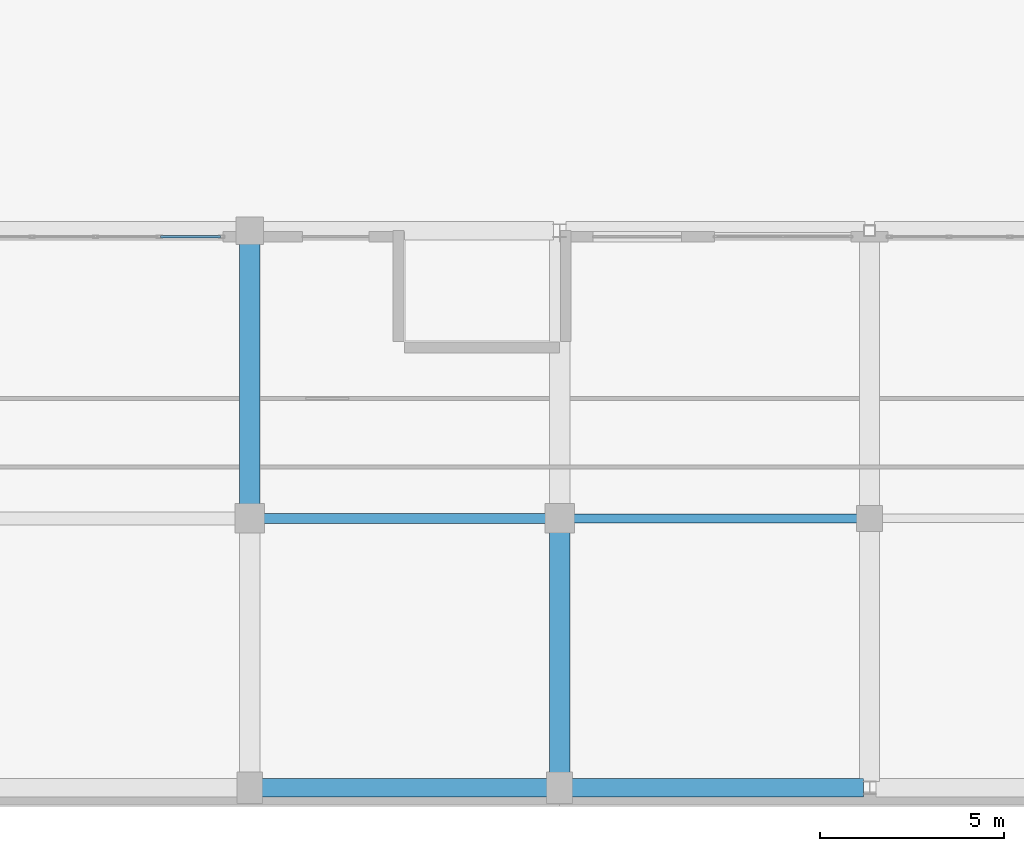
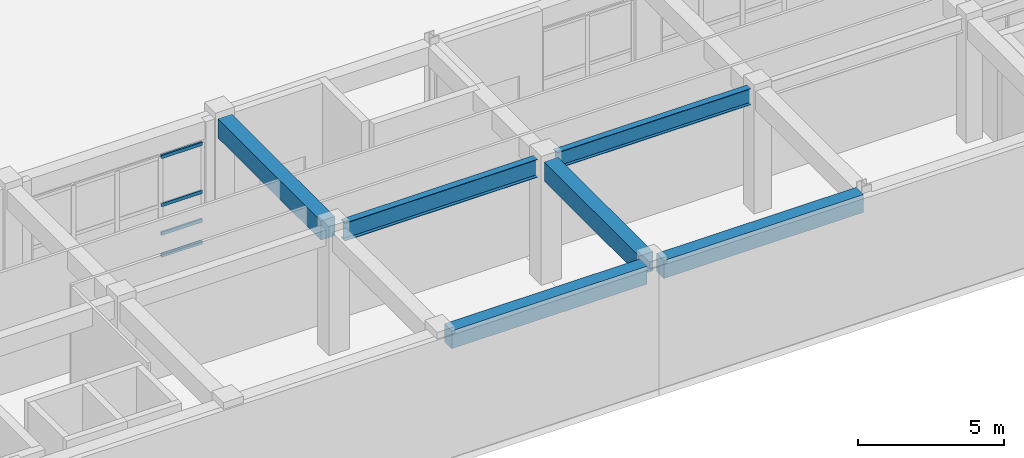
# One storey, part 24 of 148: 6 beams, 4 members, 1 element without a shape of its own.
"""IFC4 building model written with IfcOpenShell, lengths in metres."""

from ifc_helpers import new_model, si_unit, direction, frame, origin, origin_2d, place, context, subcontext, project, spatial, rectangle, hollow_rectangle, i_section, extrude, material, layer, layer_set, material_profile, profile_set, type_object, element, aggregate, save


model = new_model("IFC4")

# Units and contexts
model_context = context("Model", 3, precision=1e-05, world=origin(), true_north=direction((0.0, 1.0)))
body_context = subcontext(model_context, "Body", "Model", "MODEL_VIEW")
ifc_project = project(units=[si_unit("LENGTHUNIT", "METRE"), si_unit("AREAUNIT", "SQUARE_METRE"), si_unit("VOLUMEUNIT", "CUBIC_METRE"), si_unit("PLANEANGLEUNIT", "RADIAN"), si_unit("MASSUNIT", "GRAM", prefix="KILO")], contexts=[model_context])

# Site, building, storey
site_placement = place(None, origin())
site = spatial("IfcSite", under=ifc_project, at=site_placement, CompositionType="ELEMENT")
building_placement = place(site_placement, origin())
building = spatial("IfcBuilding", under=site, at=building_placement, Name="Quendrovan Civic Courthouse", CompositionType="ELEMENT")
storey_placement = place(building_placement, origin())
storey = spatial("IfcBuildingStorey", under=building, at=storey_placement, Name="L01", CompositionType="ELEMENT", Elevation=0.0)

# Beams
ifc_material_1 = material(Name="Concrete C40/50", Category="concrete")
ifc_material_profile_1 = material_profile(ifc_material_1, rectangle(XDim=0.5, YDim=0.75, at=origin_2d()), Name="RC-BM-500x750")
ifc_profile_set_1 = profile_set([ifc_material_profile_1], Name="Concrete C40/50")
beam_type_1 = type_object("IfcBeamType", Name="BM-RC750", PredefinedType="SPANDREL", material=ifc_profile_set_1)
beam_1_placement = place(storey_placement, frame((50.72998046875, 0.5, 4.7451171875), z_axis=(1.0, 0.0, 0.0), x_axis=(0.0, 1.0, 0.0)))
element("IfcBeam", 1, at=beam_1_placement, inside=storey, type_object=beam_type_1, Name="L01 Girder X0243", PredefinedType="SPANDREL", context=body_context, shape_type="SweptSolid", body=[
    extrude(rectangle(XDim=0.5, YDim=0.75, at=origin_2d()), origin(), (0.0, 0.0, 1.0), 7.739990234375),
])
beam_2_placement = place(storey_placement, frame((59.1298828125, 0.5, 4.7451171875), z_axis=(1.0, 0.0, 0.0), x_axis=(0.0, 1.0, 0.0)))
element("IfcBeam", 2, at=beam_2_placement, inside=storey, type_object=beam_type_1, Name="L01 Girder X0244", PredefinedType="SPANDREL", context=body_context, shape_type="SweptSolid", body=[
    extrude(rectangle(XDim=0.5, YDim=0.75, at=origin_2d()), origin(), (0.0, 0.0, 1.0), 7.903076171875),
])
ifc_material_profile_2 = material_profile(ifc_material_1, rectangle(XDim=0.550048828125, YDim=0.800048828125, at=origin_2d()), Name="RC-BM-550x800")
ifc_profile_set_2 = profile_set([ifc_material_profile_2], Name="Concrete C40/50")
beam_type_2 = type_object("IfcBeamType", Name="BM-RC800", PredefinedType="BEAM", material=ifc_profile_set_2)
beam_3_placement = place(storey_placement, frame((50.39990234375, 8.179931640625, 4.719970703125), z_axis=(0.0, 1.0, 0.0), x_axis=(-1.0, 0.0, 0.0)))
element("IfcBeam", 3, at=beam_3_placement, inside=storey, type_object=beam_type_2, Name="L01 Girder Y0416", PredefinedType="BEAM", context=body_context, shape_type="SweptSolid", body=[
    extrude(rectangle(XDim=0.550048828125, YDim=0.800048828125, at=origin_2d()), origin(), (0.0, 0.0, 1.0), 7.065185546875),
])
beam_4_placement = place(storey_placement, frame((58.800048828125, 0.905029296875, 4.719970703125), z_axis=(0.0, 1.0, 0.0), x_axis=(-1.0, 0.0, 0.0)))
element("IfcBeam", 4, at=beam_4_placement, inside=storey, type_object=beam_type_2, Name="L01 Girder Y0422", PredefinedType="BEAM", context=body_context, shape_type="SweptSolid", body=[
    extrude(rectangle(XDim=0.550048828125, YDim=0.800048828125, at=origin_2d()), origin(), (0.0, 0.0, 1.0), 6.514892578125),
])
ifc_material_2 = material(Name="Steel ASTM A992 Grade 50", Category="steel")
ifc_material_profile_3 = material_profile(ifc_material_2, i_section(OverallWidth=0.25390625, OverallDepth=0.68408203125, WebThickness=0.012451171875, FlangeThickness=0.018798828125, at=origin_2d()), Name="W27X94")
ifc_profile_set_3 = profile_set([ifc_material_profile_3], Name="Steel ASTM A992 Grade 50")
beam_type_3 = type_object("IfcBeamType", Name="BM-STL-W27", PredefinedType="BEAM", material=ifc_profile_set_3)
beam_5_placement = place(storey_placement, frame((59.179931640625, 7.800048828125, 4.778076171875), z_axis=(1.0, 0.0, 0.0), x_axis=(0.0, 1.0, 0.0)))
element("IfcBeam", 5, at=beam_5_placement, inside=storey, type_object=beam_type_3, Name="L01 Girder X0257", PredefinedType="BEAM", context=body_context, shape_type="SweptSolid", body=[
    extrude(i_section(OverallWidth=0.25390625, OverallDepth=0.68408203125, WebThickness=0.012451171875, FlangeThickness=0.018798828125, at=origin_2d()), origin(), (0.0, 0.0, 1.0), 7.690185546875),
])
ifc_material_profile_4 = material_profile(ifc_material_2, i_section(OverallWidth=0.26611328125, OverallDepth=0.758056640625, WebThickness=0.013916015625, FlangeThickness=0.019287109375, at=origin_2d()), Name="W30X108")
ifc_profile_set_4 = profile_set([ifc_material_profile_4], Name="Steel ASTM A992 Grade 50")
beam_type_4 = type_object("IfcBeamType", Name="BM-STL-W30", PredefinedType="BEAM", material=ifc_profile_set_4)
beam_6_placement = place(storey_placement, frame((50.780029296875, 7.800048828125, 4.740966796875), z_axis=(1.0, 0.0, 0.0), x_axis=(0.0, 1.0, 0.0)))
element("IfcBeam", 6, at=beam_6_placement, inside=storey, type_object=beam_type_4, Name="L01 Girder X0256", PredefinedType="BEAM", context=body_context, shape_type="SweptSolid", body=[
    extrude(i_section(OverallWidth=0.26611328125, OverallDepth=0.758056640625, WebThickness=0.013916015625, FlangeThickness=0.019287109375, at=origin_2d()), origin(), (0.0, 0.0, 1.0), 7.639892578125),
])

# Curtain wall, members
ifc_material_3 = material(Name="Bronze anodised aluminium and low-E glass", Category="aluminium")
ifc_layer = layer(ifc_material_3, 0.179931640625, Name="Bronze anodised aluminium and low-E glass")
ifc_layer_set = layer_set([ifc_layer], Name="Bronze anodised aluminium and low-E glass")
curtain_wall_type = type_object("IfcCurtainWallType", Name="CW-U69x42", PredefinedType="USERDEFINED", material=ifc_layer_set)
curtain_wall_placement = place(storey_placement, origin())
curtain_wall = element("IfcCurtainWall", 7, at=curtain_wall_placement, inside=storey, type_object=curtain_wall_type, Name="L01 Unitised Hurricane Curtain Wall CW-008", ObjectType="UNITISED CURTAIN WALL", PredefinedType="USERDEFINED")
ifc_material_4 = material(Name="Bronze anodised aluminium", Category="aluminium")
ifc_material_profile_5 = material_profile(ifc_material_4, hollow_rectangle(XDim=0.070068359375, YDim=0.139892578125, WallThickness=0.00390625, at=origin_2d()), Name="CW-TRAN-70x140")
ifc_profile_set_5 = profile_set([ifc_material_profile_5], Name="Bronze anodised aluminium")
member_type = type_object("IfcMemberType", Name="CW-TRAN-A", PredefinedType="USERDEFINED", material=ifc_profile_set_5)
member_1_placement = place(storey_placement, frame((47.985107421875, 15.43505859375, 0.034912109375), z_axis=(1.0, 0.0, 0.0), x_axis=(0.0, 1.0, 0.0)))
member_1 = element("IfcMember", 8, at=member_1_placement, type_object=member_type, Name="CW-008 transom 4.1", ObjectType="TRANSOM", PredefinedType="USERDEFINED", context=body_context, shape_type="SweptSolid", body=[
    extrude(hollow_rectangle(XDim=0.070068359375, YDim=0.139892578125, WallThickness=0.00390625, at=origin_2d()), origin(), (0.0, 0.0, 1.0), 1.619873046875),
])
member_2_placement = place(storey_placement, frame((47.985107421875, 15.43505859375, 0.949951171875), z_axis=(1.0, 0.0, 0.0), x_axis=(0.0, 1.0, 0.0)))
member_2 = element("IfcMember", 9, at=member_2_placement, type_object=member_type, Name="CW-008 transom 4.2", ObjectType="TRANSOM", PredefinedType="USERDEFINED", context=body_context, shape_type="SweptSolid", body=[
    extrude(hollow_rectangle(XDim=0.070068359375, YDim=0.139892578125, WallThickness=0.00390625, at=origin_2d()), origin(), (0.0, 0.0, 1.0), 1.619873046875),
])
member_3_placement = place(storey_placement, frame((47.985107421875, 15.43505859375, 2.14990234375), z_axis=(1.0, 0.0, 0.0), x_axis=(0.0, 1.0, 0.0)))
member_3 = element("IfcMember", 10, at=member_3_placement, type_object=member_type, Name="CW-008 transom 4.3", ObjectType="TRANSOM", PredefinedType="USERDEFINED", context=body_context, shape_type="SweptSolid", body=[
    extrude(hollow_rectangle(XDim=0.070068359375, YDim=0.139892578125, WallThickness=0.00390625, at=origin_2d()), origin(), (0.0, 0.0, 1.0), 1.619873046875),
])
member_4_placement = place(storey_placement, frame((47.985107421875, 15.43505859375, 4.1650390625), z_axis=(1.0, 0.0, 0.0), x_axis=(0.0, 1.0, 0.0)))
member_4 = element("IfcMember", 11, at=member_4_placement, type_object=member_type, Name="CW-008 transom 4.4", ObjectType="TRANSOM", PredefinedType="USERDEFINED", context=body_context, shape_type="SweptSolid", body=[
    extrude(hollow_rectangle(XDim=0.070068359375, YDim=0.139892578125, WallThickness=0.00390625, at=origin_2d()), origin(), (0.0, 0.0, 1.0), 1.619873046875),
])
aggregate(curtain_wall, [member_1, member_2, member_3, member_4])

save(model, "model.ifc")
